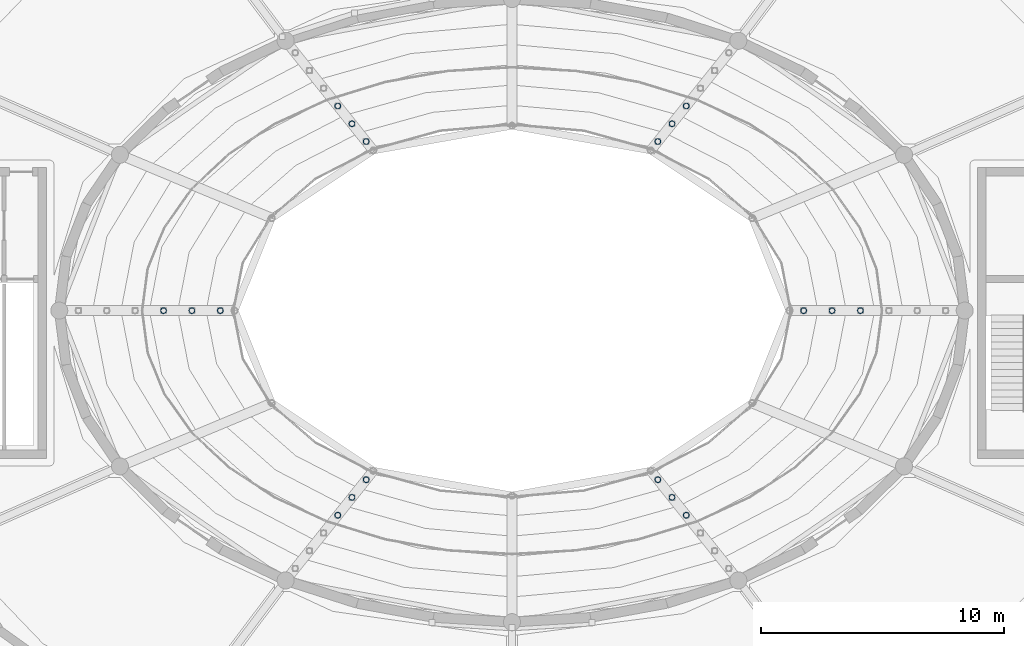
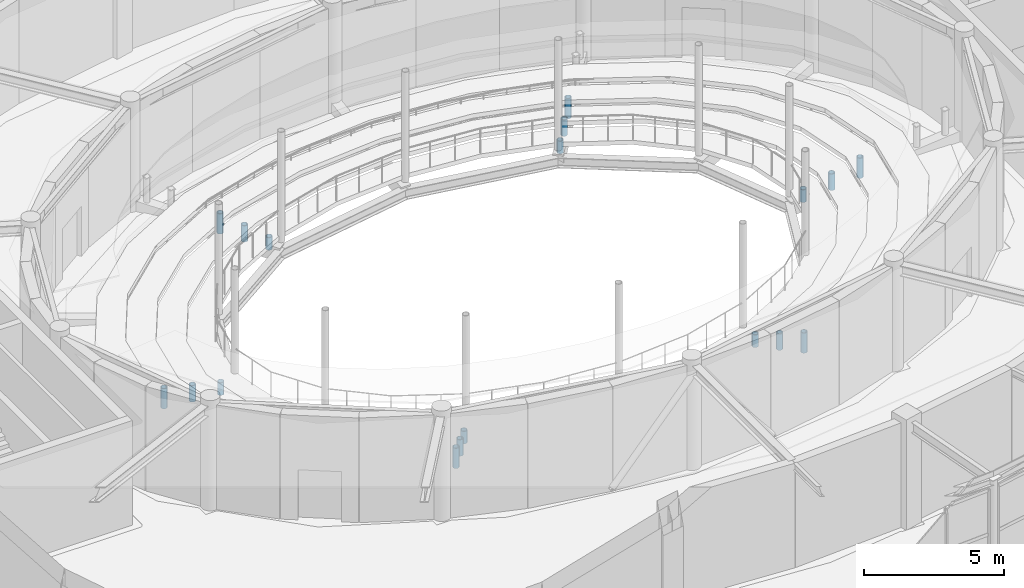
# One storey, part 78 of 108: 18 members.
"""IFC4 building model written with IfcOpenShell, lengths in metres."""

from ifc_helpers import new_model, si_unit, direction, frame, origin, origin_2d, place, context, subcontext, project, spatial, hollow_circle, extrude, material, material_profile, profile_set, type_object, element, save


model = new_model("IFC4")

# Units and contexts
model_context = context("Model", 3, precision=1e-05, world=origin(), true_north=direction((0.0, 1.0)))
body_context = subcontext(model_context, "Body", "Model", "MODEL_VIEW")
ifc_project = project(units=[si_unit("LENGTHUNIT", "METRE"), si_unit("AREAUNIT", "SQUARE_METRE"), si_unit("VOLUMEUNIT", "CUBIC_METRE"), si_unit("PLANEANGLEUNIT", "RADIAN"), si_unit("MASSUNIT", "GRAM", prefix="KILO")], contexts=[model_context])

# Site, building, storey
site_placement = place(None, origin())
site = spatial("IfcSite", under=ifc_project, at=site_placement, CompositionType="ELEMENT")
building_placement = place(site_placement, origin())
building = spatial("IfcBuilding", under=site, at=building_placement, Name="Tarnveldt Headland Concert Hall", CompositionType="ELEMENT")
storey_placement = place(building_placement, frame((0.0, 0.0, 9.60009765625)))
storey = spatial("IfcBuildingStorey", under=building, at=storey_placement, Name="L02", CompositionType="ELEMENT", Elevation=9.60009765625)

# Members
ifc_material = material(Name="Steel S355", Category="steel")
ifc_material_profile = material_profile(ifc_material, hollow_circle(Radius=0.122314453125, WallThickness=0.01611328125, at=origin_2d()), Name="CHS 244.5x16", Category="steel")
ifc_profile_set = profile_set([ifc_material_profile], Name="Steel S355")
member_type = type_object("IfcMemberType", Name="TR-CHORD244", PredefinedType="POST", material=ifc_profile_set)
for number, where, z_axis, x_axis, name in (
    (1, (95.4833984375, 54.5, -0.4580078125), (0.0, 0.0, 1.0), (1.0, 0.0, 0.0), "Vineyard tier raker stool post L02-1-1"),
    (2, (89.49169921875, 61.44677734375, -0.4580078125), (0.0, 0.0, 1.0), (1.0, 0.0, 0.0), "Vineyard tier raker stool post L02-1-3"),
    (3, (77.50830078125, 61.44677734375, -0.4580078125), (0.0, 0.0, 1.0), (1.0, 0.0, 0.0), "Vineyard tier raker stool post L02-1-5"),
    (4, (71.5166015625, 54.5, -0.4580078125), (0.0, 0.0, 1.0), (1.0, 0.0, 0.0), "Vineyard tier raker stool post L02-1-7"),
    (5, (77.50830078125, 47.55322265625, -0.4580078125), (0.0, 0.0, 1.0), (1.0, 0.0, 0.0), "Vineyard tier raker stool post L02-1-9"),
    (6, (89.49169921875, 47.55322265625, -0.4580078125), (0.0, 0.0, 1.0), (1.0, 0.0, 0.0), "Vineyard tier raker stool post L02-1-11"),
):
    element("IfcMember", number, at=place(storey_placement, frame(where, z_axis=z_axis, x_axis=x_axis)), inside=storey, type_object=member_type, Name=name, PredefinedType="POST", context=body_context, shape_type="SweptSolid", body=[
        extrude(hollow_circle(Radius=0.122314453125, WallThickness=0.01611328125, at=origin_2d()), origin(), (0.0, 0.0, 1.0), 0.5478515625),
    ])
for number, where, z_axis, x_axis, name in (
    (7, (96.64990234375, 54.5, -0.34375), (0.0, 0.0, 1.0), (1.0, 0.0, 0.0), "Vineyard tier raker stool post L02-2-1"),
    (8, (90.074951171875, 62.176513671875, -0.34375), (0.0, 0.0, 1.0), (1.0, 0.0, 0.0), "Vineyard tier raker stool post L02-2-3"),
    (9, (76.925048828125, 62.176513671875, -0.34375), (0.0, 0.0, 1.0), (1.0, 0.0, 0.0), "Vineyard tier raker stool post L02-2-5"),
    (10, (70.35009765625, 54.5, -0.34375), (0.0, 0.0, 1.0), (1.0, 0.0, 0.0), "Vineyard tier raker stool post L02-2-7"),
    (11, (76.925048828125, 46.823486328125, -0.34375), (0.0, 0.0, 1.0), (1.0, 0.0, 0.0), "Vineyard tier raker stool post L02-2-9"),
    (12, (90.074951171875, 46.823486328125, -0.34375), (0.0, 0.0, 1.0), (1.0, 0.0, 0.0), "Vineyard tier raker stool post L02-2-11"),
):
    element("IfcMember", number, at=place(storey_placement, frame(where, z_axis=z_axis, x_axis=x_axis)), inside=storey, type_object=member_type, Name=name, PredefinedType="POST", context=body_context, shape_type="SweptSolid", body=[
        extrude(hollow_circle(Radius=0.122314453125, WallThickness=0.01611328125, at=origin_2d()), origin(), (0.0, 0.0, 1.0), 0.713623046875),
    ])
for number, where, z_axis, x_axis, name in (
    (13, (97.816650390625, 54.5, -0.2294921875), (0.0, 0.0, 1.0), (1.0, 0.0, 0.0), "Vineyard tier raker stool post L02-3-1"),
    (14, (90.658203125, 62.906005859375, -0.2294921875), (0.0, 0.0, 1.0), (1.0, 0.0, 0.0), "Vineyard tier raker stool post L02-3-3"),
    (15, (76.341796875, 62.906005859375, -0.2294921875), (0.0, 0.0, 1.0), (1.0, 0.0, 0.0), "Vineyard tier raker stool post L02-3-5"),
    (16, (69.183349609375, 54.5, -0.2294921875), (0.0, 0.0, 1.0), (1.0, 0.0, 0.0), "Vineyard tier raker stool post L02-3-7"),
    (17, (76.341796875, 46.093994140625, -0.2294921875), (0.0, 0.0, 1.0), (1.0, 0.0, 0.0), "Vineyard tier raker stool post L02-3-9"),
    (18, (90.658203125, 46.093994140625, -0.2294921875), (0.0, 0.0, 1.0), (1.0, 0.0, 0.0), "Vineyard tier raker stool post L02-3-11"),
):
    element("IfcMember", number, at=place(storey_placement, frame(where, z_axis=z_axis, x_axis=x_axis)), inside=storey, type_object=member_type, Name=name, PredefinedType="POST", context=body_context, shape_type="SweptSolid", body=[
        extrude(hollow_circle(Radius=0.122314453125, WallThickness=0.01611328125, at=origin_2d()), origin(), (0.0, 0.0, 1.0), 0.87939453125),
    ])

save(model, "model.ifc")
